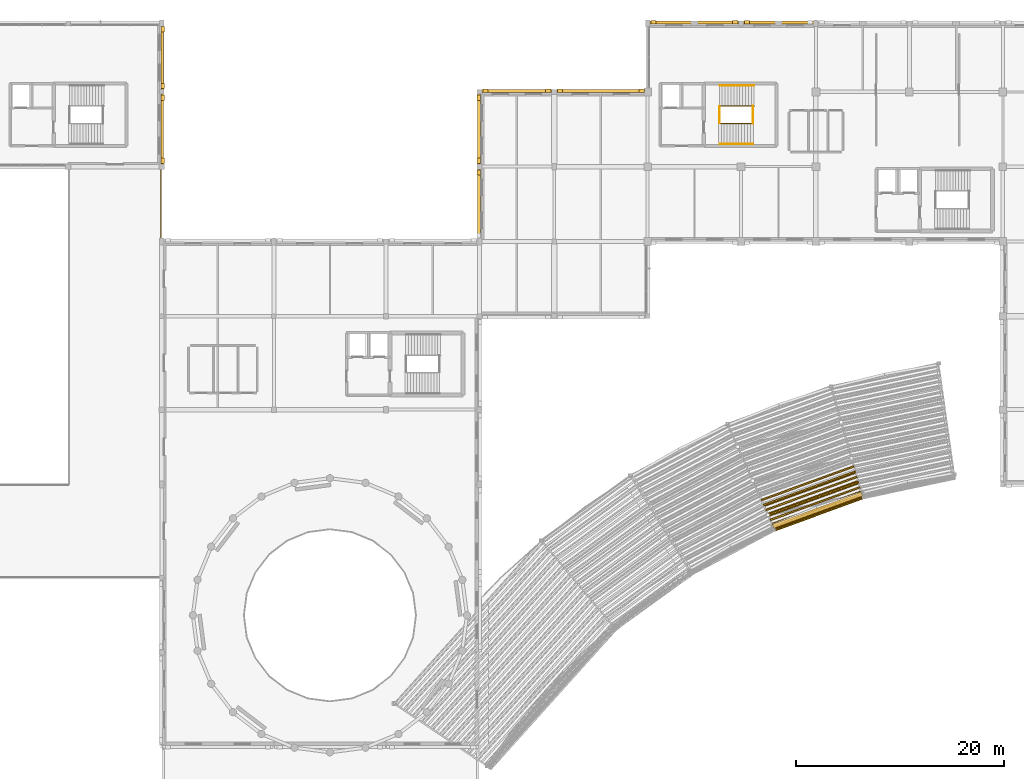
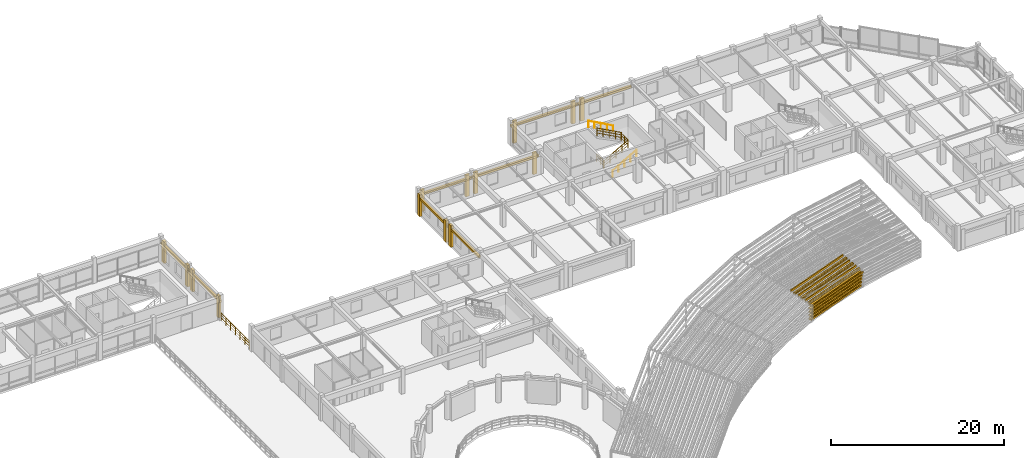
# One storey, part 72 of 74: 25 coverings, 19 shading devices, 7 railings.
"""IFC4 building model written with IfcOpenShell, lengths in metres."""

from ifc_helpers import new_model, si_unit, direction, frame, frame_2d, origin, origin_2d, place, context, subcontext, project, spatial, rectangle, circle, extrude, material, layer, layer_set, type_object, element, save


model = new_model("IFC4")

# Units and contexts
model_context = context("Model", 3, precision=1e-05, world=origin(), true_north=direction((0.0, 1.0)))
body_context = subcontext(model_context, "Body", "Model", "MODEL_VIEW")
ifc_project = project(units=[si_unit("LENGTHUNIT", "METRE"), si_unit("AREAUNIT", "SQUARE_METRE"), si_unit("VOLUMEUNIT", "CUBIC_METRE"), si_unit("PLANEANGLEUNIT", "RADIAN"), si_unit("MASSUNIT", "GRAM", prefix="KILO")], contexts=[model_context])

# Site, building, storey
site_placement = place(None, origin())
site = spatial("IfcSite", under=ifc_project, at=site_placement, CompositionType="ELEMENT")
building_placement = place(site_placement, origin())
building = spatial("IfcBuilding", under=site, at=building_placement, Name="Clarverna Civic Hall", CompositionType="ELEMENT")
storey_placement = place(building_placement, frame((0.0, 0.0, 13.199951171875)))
storey = spatial("IfcBuildingStorey", under=building, at=storey_placement, Name="L03", CompositionType="ELEMENT", Elevation=13.199951171875)

# Coverings
ifc_material_1 = material(Name="Thermally Modified Teak Wood Slat Fascia Cladding", Category="wood")
ifc_layer_1 = layer(ifc_material_1, 0.080078125)
ifc_layer_set_1 = layer_set([ifc_layer_1], Name="Thermally Modified Teak Wood Slat Fascia Cladding")
covering_type_1 = type_object("IfcCoveringType", Name="CV-CL1", PredefinedType="CLADDING", material=ifc_layer_set_1)
covering_1_placement = place(storey_placement, frame((133.987060546875, 70.818603515625, 2.510009765625), z_axis=(0.0, 0.0, 1.0), x_axis=(-0.939684698219, -0.342041909616, 0.0)))
element("IfcCovering", 1, at=covering_1_placement, inside=storey, type_object=covering_type_1, Name="CV-CL1-200", PredefinedType="CLADDING", context=body_context, shape_type="SweptSolid", body=[
    extrude(rectangle(XDim=9.116943359375, YDim=0.340087890625, at=frame_2d((4.55859375, 0.0))), origin(), (0.0, 0.0, 1.0), 0.219970703125),
])
covering_2_placement = place(storey_placement, frame((133.69775390625, 71.827880859375, 2.7451171875), z_axis=(0.0, 0.0, 1.0), x_axis=(-0.93969027177, -0.342026597124, 0.0)))
element("IfcCovering", 2, at=covering_2_placement, inside=storey, type_object=covering_type_1, Name="CV-CL1-205", PredefinedType="CLADDING", context=body_context, shape_type="SweptSolid", body=[
    extrude(rectangle(XDim=9.263671875, YDim=0.340087890625, at=frame_2d((4.6318359375, 0.0))), origin(), (0.0, 0.0, 1.0), 0.219970703125),
])
covering_3_placement = place(storey_placement, frame((133.408203125, 72.837158203125, 2.97998046875), z_axis=(0.0, 0.0, 1.0), x_axis=(-0.93968960152, -0.342028438577, 0.0)))
element("IfcCovering", 3, at=covering_3_placement, inside=storey, type_object=covering_type_1, Name="CV-CL1-210", PredefinedType="CLADDING", context=body_context, shape_type="SweptSolid", body=[
    extrude(rectangle(XDim=9.41015625, YDim=0.340087890625, at=frame_2d((4.705078125, 0.0))), origin(), (0.0, 0.0, 1.0), 0.219970703125),
])
ifc_material_2 = material(Name="Montjuic Buff Limestone Ashlar Cladding", Category="masonry")
ifc_layer_2 = layer(ifc_material_2, 0.070068359375)
ifc_layer_set_2 = layer_set([ifc_layer_2], Name="Montjuic Buff Limestone Ashlar Cladding")
covering_type_2 = type_object("IfcCoveringType", Name="CV-CL2", PredefinedType="CLADDING", material=ifc_layer_set_2)
covering_4_placement = place(storey_placement, frame((97.14501953125, 95.06005859375, 2.320068359375), z_axis=(0.0, 0.0, 1.0), x_axis=(0.0, 1.0, 0.0)))
element("IfcCovering", 4, at=covering_4_placement, inside=storey, type_object=covering_type_2, Name="CV-CL2-530", PredefinedType="CLADDING", context=body_context, shape_type="SweptSolid", body=[
    extrude(rectangle(XDim=7.079833984375, YDim=0.280029296875, at=frame_2d((3.5400390625, 0.0))), origin(), (0.0, 0.0, 1.0), 0.300048828125),
])
covering_5_placement = place(storey_placement, frame((97.114990234375, 101.3798828125, 0.0), z_axis=(0.0, 0.0, 1.0), x_axis=(0.0, 1.0, 0.0)))
element("IfcCovering", 5, at=covering_5_placement, inside=storey, type_object=covering_type_2, Name="CV-CL2-532", PredefinedType="CLADDING", context=body_context, shape_type="SweptSolid", body=[
    extrude(rectangle(XDim=0.5, YDim=0.340087890625, at=frame_2d((0.25, 0.0))), origin(), (0.0, 0.0, 1.0), 3.080078125),
])
covering_6_placement = place(storey_placement, frame((97.14501953125, 102.260009765625, 2.300048828125), z_axis=(0.0, 0.0, 1.0), x_axis=(0.0, 1.0, 0.0)))
element("IfcCovering", 6, at=covering_6_placement, inside=storey, type_object=covering_type_2, Name="CV-CL2-533", PredefinedType="CLADDING", context=body_context, shape_type="SweptSolid", body=[
    extrude(rectangle(XDim=7.080078125, YDim=0.280029296875, at=frame_2d((3.5400390625, 0.0))), origin(), (0.0, 0.0, 1.0), 0.300048828125),
])
for number, where, z_axis, x_axis, name in (
    (7, (97.114990234375, 102.52001953125, 0.0), (0.0, 0.0, 1.0), (0.0, 1.0, 0.0), "CV-CL2-534"),
    (8, (97.114990234375, 108.580078125, 0.0), (0.0, 0.0, 1.0), (0.0, 1.0, 0.0), "CV-CL2-535"),
):
    element("IfcCovering", number, at=place(storey_placement, frame(where, z_axis=z_axis, x_axis=x_axis)), inside=storey, type_object=covering_type_2, Name=name, PredefinedType="CLADDING", context=body_context, shape_type="SweptSolid", body=[
        extrude(rectangle(XDim=0.5, YDim=0.340087890625, at=frame_2d((0.25, 0.0))), origin(), (0.0, 0.0, 1.0), 3.06005859375),
    ])
covering_7_placement = place(storey_placement, frame((97.284912109375, 109.47998046875, 2.27001953125), z_axis=(0.0, 0.0, 1.0), x_axis=(1.0, 0.0, 0.0)))
element("IfcCovering", 9, at=covering_7_placement, inside=storey, type_object=covering_type_2, Name="CV-CL2-536", PredefinedType="CLADDING", context=body_context, shape_type="SweptSolid", body=[
    extrude(rectangle(XDim=7.05517578125, YDim=0.280029296875, at=frame_2d((3.527587890625, 0.0))), origin(), (0.0, 0.0, 1.0), 0.300048828125),
])
for number, where, z_axis, x_axis, name in (
    (10, (97.544921875, 109.510009765625, 0.0), (0.0, 0.0, 1.0), (1.0, 0.0, 0.0), "CV-CL2-537"),
    (11, (103.580078125, 109.510009765625, 0.0), (0.0, 0.0, 1.0), (1.0, 0.0, 0.0), "CV-CL2-538"),
):
    element("IfcCovering", number, at=place(storey_placement, frame(where, z_axis=z_axis, x_axis=x_axis)), inside=storey, type_object=covering_type_2, Name=name, PredefinedType="CLADDING", context=body_context, shape_type="SweptSolid", body=[
        extrude(rectangle(XDim=0.5, YDim=0.340087890625, at=frame_2d((0.25, 0.0))), origin(), (0.0, 0.0, 1.0), 3.030029296875),
    ])
covering_8_placement = place(storey_placement, frame((104.4599609375, 109.47998046875, 2.27001953125), z_axis=(0.0, 0.0, 1.0), x_axis=(1.0, 0.0, 0.0)))
element("IfcCovering", 12, at=covering_8_placement, inside=storey, type_object=covering_type_2, Name="CV-CL2-539", PredefinedType="CLADDING", context=body_context, shape_type="SweptSolid", body=[
    extrude(rectangle(XDim=8.880126953125, YDim=0.280029296875, at=frame_2d((4.43994140625, 0.0))), origin(), (0.0, 0.0, 1.0), 0.300048828125),
])
for number, where, z_axis, x_axis, name in (
    (13, (104.719970703125, 109.510009765625, 0.0), (0.0, 0.0, 1.0), (1.0, 0.0, 0.0), "CV-CL2-540"),
    (14, (112.580078125, 109.510009765625, 0.0), (0.0, 0.0, 1.0), (1.0, 0.0, 0.0), "CV-CL2-541"),
):
    element("IfcCovering", number, at=place(storey_placement, frame(where, z_axis=z_axis, x_axis=x_axis)), inside=storey, type_object=covering_type_2, Name=name, PredefinedType="CLADDING", context=body_context, shape_type="SweptSolid", body=[
        extrude(rectangle(XDim=0.5, YDim=0.340087890625, at=frame_2d((0.25, 0.0))), origin(), (0.0, 0.0, 1.0), 3.030029296875),
    ])
covering_9_placement = place(storey_placement, frame((113.4599609375, 116.080078125, 2.360107421875), z_axis=(0.0, 0.0, 1.0), x_axis=(1.0, 0.0, 0.0)))
element("IfcCovering", 15, at=covering_9_placement, inside=storey, type_object=covering_type_2, Name="CV-CL2-542", PredefinedType="CLADDING", context=body_context, shape_type="SweptSolid", body=[
    extrude(rectangle(XDim=8.880126953125, YDim=0.280029296875, at=frame_2d((4.43994140625, 0.0))), origin(), (0.0, 0.0, 1.0), 0.300048828125),
])
for number, where, z_axis, x_axis, name in (
    (16, (113.719970703125, 116.110107421875, 0.0), (0.0, 0.0, 1.0), (1.0, 0.0, 0.0), "CV-CL2-543"),
    (17, (121.580078125, 116.110107421875, 0.0), (0.0, 0.0, 1.0), (1.0, 0.0, 0.0), "CV-CL2-544"),
):
    element("IfcCovering", number, at=place(storey_placement, frame(where, z_axis=z_axis, x_axis=x_axis)), inside=storey, type_object=covering_type_2, Name=name, PredefinedType="CLADDING", context=body_context, shape_type="SweptSolid", body=[
        extrude(rectangle(XDim=0.5, YDim=0.340087890625, at=frame_2d((0.25, 0.0))), origin(), (0.0, 0.0, 1.0), 3.1201171875),
    ])
covering_10_placement = place(storey_placement, frame((122.4599609375, 116.080078125, 2.360107421875), z_axis=(0.0, 0.0, 1.0), x_axis=(1.0, 0.0, 0.0)))
element("IfcCovering", 18, at=covering_10_placement, inside=storey, type_object=covering_type_2, Name="CV-CL2-545", PredefinedType="CLADDING", context=body_context, shape_type="SweptSolid", body=[
    extrude(rectangle(XDim=7.080078125, YDim=0.280029296875, at=frame_2d((3.5400390625, 0.0))), origin(), (0.0, 0.0, 1.0), 0.300048828125),
])
covering_11_placement = place(storey_placement, frame((122.719970703125, 116.110107421875, 0.0), z_axis=(0.0, 0.0, 1.0), x_axis=(1.0, 0.0, 0.0)))
element("IfcCovering", 19, at=covering_11_placement, inside=storey, type_object=covering_type_2, Name="CV-CL2-546", PredefinedType="CLADDING", context=body_context, shape_type="SweptSolid", body=[
    extrude(rectangle(XDim=0.5, YDim=0.340087890625, at=frame_2d((0.25, 0.0))), origin(), (0.0, 0.0, 1.0), 3.1201171875),
])
covering_12_placement = place(storey_placement, frame((66.655029296875, 115.93994140625, 2.300048828125), z_axis=(0.0, 0.0, 1.0), x_axis=(0.0, -1.0, 0.0)))
element("IfcCovering", 20, at=covering_12_placement, inside=storey, type_object=covering_type_2, Name="CV-CL2-629", PredefinedType="CLADDING", context=body_context, shape_type="SweptSolid", body=[
    extrude(rectangle(XDim=6.47998046875, YDim=0.280029296875, at=frame_2d((3.239990234375, 0.0))), origin(), (0.0, 0.0, 1.0), 0.300048828125),
])
for number, where, z_axis, x_axis, name in (
    (21, (66.68505859375, 115.679931640625, 0.0), (0.0, 0.0, 1.0), (0.0, -1.0, 0.0), "CV-CL2-630"),
    (22, (66.68505859375, 110.219970703125, 0.0), (0.0, 0.0, 1.0), (0.0, -1.0, 0.0), "CV-CL2-631"),
):
    element("IfcCovering", number, at=place(storey_placement, frame(where, z_axis=z_axis, x_axis=x_axis)), inside=storey, type_object=covering_type_2, Name=name, PredefinedType="CLADDING", context=body_context, shape_type="SweptSolid", body=[
        extrude(rectangle(XDim=0.5, YDim=0.340087890625, at=frame_2d((0.25, 0.0))), origin(), (0.0, 0.0, 1.0), 3.06005859375),
    ])
covering_13_placement = place(storey_placement, frame((66.655029296875, 109.340087890625, 2.300048828125), z_axis=(0.0, 0.0, 1.0), x_axis=(0.0, -1.0, 0.0)))
element("IfcCovering", 23, at=covering_13_placement, inside=storey, type_object=covering_type_2, Name="CV-CL2-632", PredefinedType="CLADDING", context=body_context, shape_type="SweptSolid", body=[
    extrude(rectangle(XDim=7.080078125, YDim=0.280029296875, at=frame_2d((3.5400390625, 0.0))), origin(), (0.0, 0.0, 1.0), 0.300048828125),
])
for number, where, z_axis, x_axis, name in (
    (24, (66.68505859375, 109.080078125, 0.0), (0.0, 0.0, 1.0), (0.0, -1.0, 0.0), "CV-CL2-633"),
    (25, (66.68505859375, 103.02001953125, 0.0), (0.0, 0.0, 1.0), (0.0, -1.0, 0.0), "CV-CL2-634"),
):
    element("IfcCovering", number, at=place(storey_placement, frame(where, z_axis=z_axis, x_axis=x_axis)), inside=storey, type_object=covering_type_2, Name=name, PredefinedType="CLADDING", context=body_context, shape_type="SweptSolid", body=[
        extrude(rectangle(XDim=0.5, YDim=0.340087890625, at=frame_2d((0.25, 0.0))), origin(), (0.0, 0.0, 1.0), 3.06005859375),
    ])

# Railings
ifc_material_3 = material(Name="Anodised Bronze Architectural Balustrade")
railing_type_1 = type_object("IfcRailingType", Name="GR-01", PredefinedType="BALUSTRADE", material=ifc_material_3)
railing_1_placement = place(storey_placement, frame((66.514892578125, 101.8798828125, 0.0)))
element("IfcRailing", 26, at=railing_1_placement, inside=storey, type_object=railing_type_1, Name="GR-01-034", PredefinedType="BALUSTRADE", context=body_context, shape_type="SweptSolid", body=[
    extrude(circle(Radius=0.02392578125, at=origin_2d()), frame((0.0, 0.0, 1.09619140625), z_axis=(0.0, -1.0, 0.0), x_axis=(1.0, 0.0, 0.0)), (0.0, 0.0, 1.0), 6.564208984375),
    extrude(circle(Radius=0.011962890625, at=origin_2d()), frame((0.0, 0.0, 0.39208984375), z_axis=(0.0, -1.0, 0.0), x_axis=(1.0, 0.0, 0.0)), (0.0, 0.0, 1.0), 6.564208984375),
    extrude(circle(Radius=0.011962890625, at=origin_2d()), frame((0.0, 0.0, 0.76171875), z_axis=(0.0, -1.0, 0.0), x_axis=(1.0, 0.0, 0.0)), (0.0, 0.0, 1.0), 6.564208984375),
    extrude(circle(Radius=0.02099609375, at=origin_2d()), origin(), (0.0, 0.0, 1.0), 1.072021484375),
    extrude(circle(Radius=0.02099609375, at=origin_2d()), frame((0.0, -1.093994140625, 0.0)), (0.0, 0.0, 1.0), 1.072021484375),
    extrude(circle(Radius=0.02099609375, at=origin_2d()), frame((0.0, -2.18798828125, 0.0)), (0.0, 0.0, 1.0), 1.072021484375),
    extrude(circle(Radius=0.02099609375, at=origin_2d()), frame((0.0, -3.2822265625, 0.0)), (0.0, 0.0, 1.0), 1.072021484375),
    extrude(circle(Radius=0.02099609375, at=origin_2d()), frame((0.0, -4.376220703125, 0.0)), (0.0, 0.0, 1.0), 1.072021484375),
    extrude(circle(Radius=0.02099609375, at=origin_2d()), frame((0.0, -5.47021484375, 0.0)), (0.0, 0.0, 1.0), 1.072021484375),
    extrude(circle(Radius=0.02099609375, at=origin_2d()), frame((0.0, -6.564208984375, 0.0)), (0.0, 0.0, 1.0), 1.072021484375),
])
railing_type_2 = type_object("IfcRailingType", Name="GR-02", PredefinedType="BALUSTRADE", material=ifc_material_3)
railing_2_placement = place(storey_placement, frame((120.35009765625, 106.360107421875, 0.0)))
element("IfcRailing", 27, at=railing_2_placement, inside=storey, type_object=railing_type_2, Name="GR-02-167", PredefinedType="BALUSTRADE", context=body_context, shape_type="SweptSolid", body=[
    extrude(circle(Radius=0.02392578125, at=origin_2d()), frame((0.0, 0.0, 1.09619140625), z_axis=(0.871885778895, 0.0, 0.489709289845), x_axis=(0.0, 1.0, 0.0)), (0.0, 0.0, 1.0), 3.67578125),
    extrude(circle(Radius=0.011962890625, at=origin_2d()), frame((0.0, 0.0, 0.39208984375), z_axis=(0.871885778895, 0.0, 0.489709289845), x_axis=(0.0, 1.0, 0.0)), (0.0, 0.0, 1.0), 3.67578125),
    extrude(circle(Radius=0.011962890625, at=origin_2d()), frame((0.0, 0.0, 0.76171875), z_axis=(0.871885778895, 0.0, 0.489709289845), x_axis=(0.0, 1.0, 0.0)), (0.0, 0.0, 1.0), 3.67578125),
    extrude(circle(Radius=0.02099609375, at=origin_2d()), origin(), (0.0, 0.0, 1.0), 1.072021484375),
    extrude(circle(Radius=0.02099609375, at=origin_2d()), frame((0.80126953125, 0.0, 0.449951171875)), (0.0, 0.0, 1.0), 1.072021484375),
    extrude(circle(Radius=0.02099609375, at=origin_2d()), frame((1.6025390625, 0.0, 0.89990234375)), (0.0, 0.0, 1.0), 1.072021484375),
    extrude(circle(Radius=0.02099609375, at=origin_2d()), frame((2.403564453125, 0.0, 1.35009765625)), (0.0, 0.0, 1.0), 1.072021484375),
    extrude(circle(Radius=0.02099609375, at=origin_2d()), frame((3.204833984375, 0.0, 1.800048828125)), (0.0, 0.0, 1.0), 1.072021484375),
])
railing_3_placement = place(storey_placement, frame((123.554931640625, 106.360107421875, 1.800048828125)))
element("IfcRailing", 28, at=railing_3_placement, inside=storey, type_object=railing_type_2, Name="GR-02-168", PredefinedType="BALUSTRADE", context=body_context, shape_type="SweptSolid", body=[
    extrude(circle(Radius=0.02392578125, at=origin_2d()), frame((0.0, 0.0, 1.09619140625), z_axis=(0.0, 1.0, 0.0), x_axis=(-1.0, 0.0, 0.0)), (0.0, 0.0, 1.0), 1.679931640625),
    extrude(circle(Radius=0.011962890625, at=origin_2d()), frame((0.0, 0.0, 0.39208984375), z_axis=(0.0, 1.0, 0.0), x_axis=(-1.0, 0.0, 0.0)), (0.0, 0.0, 1.0), 1.679931640625),
    extrude(circle(Radius=0.011962890625, at=origin_2d()), frame((0.0, 0.0, 0.76171875), z_axis=(0.0, 1.0, 0.0), x_axis=(-1.0, 0.0, 0.0)), (0.0, 0.0, 1.0), 1.679931640625),
    extrude(circle(Radius=0.02099609375, at=origin_2d()), origin(), (0.0, 0.0, 1.0), 1.072021484375),
    extrude(circle(Radius=0.02099609375, at=origin_2d()), frame((0.0, 0.83984375, 0.0)), (0.0, 0.0, 1.0), 1.072021484375),
    extrude(circle(Radius=0.02099609375, at=origin_2d()), frame((0.0, 1.679931640625, 0.0)), (0.0, 0.0, 1.0), 1.072021484375),
])
railing_4_placement = place(storey_placement, frame((123.64501953125, 108.0400390625, 1.800048828125)))
element("IfcRailing", 29, at=railing_4_placement, inside=storey, type_object=railing_type_2, Name="GR-02-169", PredefinedType="BALUSTRADE", context=body_context, shape_type="SweptSolid", body=[
    extrude(circle(Radius=0.02392578125, at=origin_2d()), frame((0.0, 0.0, 1.09619140625), z_axis=(-0.877579782342, 0.0, 0.479430626498), x_axis=(0.0, -1.0, 0.0)), (0.0, 0.0, 1.0), 3.754638671875),
    extrude(circle(Radius=0.011962890625, at=origin_2d()), frame((0.0, 0.0, 0.39208984375), z_axis=(-0.877579782342, 0.0, 0.479430626498), x_axis=(0.0, -1.0, 0.0)), (0.0, 0.0, 1.0), 3.754638671875),
    extrude(circle(Radius=0.011962890625, at=origin_2d()), frame((0.0, 0.0, 0.76171875), z_axis=(-0.877579782342, 0.0, 0.479430626498), x_axis=(0.0, -1.0, 0.0)), (0.0, 0.0, 1.0), 3.754638671875),
    extrude(circle(Radius=0.02099609375, at=origin_2d()), origin(), (0.0, 0.0, 1.0), 1.072021484375),
    extrude(circle(Radius=0.02099609375, at=origin_2d()), frame((-0.82373046875, 0.0, 0.449951171875)), (0.0, 0.0, 1.0), 1.072021484375),
    extrude(circle(Radius=0.02099609375, at=origin_2d()), frame((-1.6474609375, 0.0, 0.89990234375)), (0.0, 0.0, 1.0), 1.072021484375),
    extrude(circle(Radius=0.02099609375, at=origin_2d()), frame((-2.47119140625, 0.0, 1.35009765625)), (0.0, 0.0, 1.0), 1.072021484375),
    extrude(circle(Radius=0.02099609375, at=origin_2d()), frame((-3.294921875, 0.0, 1.800048828125)), (0.0, 0.0, 1.0), 1.072021484375),
])
railing_5_placement = place(storey_placement, frame((120.31005859375, 106.39990234375, 0.0)))
element("IfcRailing", 30, at=railing_5_placement, inside=storey, type_object=railing_type_2, Name="GR-02-170", PredefinedType="BALUSTRADE", context=body_context, shape_type="SweptSolid", body=[
    extrude(circle(Radius=0.02392578125, at=origin_2d()), frame((0.0, 0.0, 1.09619140625), z_axis=(0.0, 1.0, 0.0), x_axis=(-1.0, 0.0, 0.0)), (0.0, 0.0, 1.0), 1.60009765625),
    extrude(circle(Radius=0.011962890625, at=origin_2d()), frame((0.0, 0.0, 0.39208984375), z_axis=(0.0, 1.0, 0.0), x_axis=(-1.0, 0.0, 0.0)), (0.0, 0.0, 1.0), 1.60009765625),
    extrude(circle(Radius=0.011962890625, at=origin_2d()), frame((0.0, 0.0, 0.76171875), z_axis=(0.0, 1.0, 0.0), x_axis=(-1.0, 0.0, 0.0)), (0.0, 0.0, 1.0), 1.60009765625),
    extrude(circle(Radius=0.02099609375, at=origin_2d()), origin(), (0.0, 0.0, 1.0), 1.072021484375),
    extrude(circle(Radius=0.02099609375, at=origin_2d()), frame((0.0, 0.800048828125, 0.0)), (0.0, 0.0, 1.0), 1.072021484375),
    extrude(circle(Radius=0.02099609375, at=origin_2d()), frame((0.0, 1.60009765625, 0.0)), (0.0, 0.0, 1.0), 1.072021484375),
])
ifc_material_4 = material(Name="Anodised Bronze Continuous Handrail")
railing_type_3 = type_object("IfcRailingType", Name="HR-01", PredefinedType="HANDRAIL", material=ifc_material_4)
railing_6_placement = place(storey_placement, frame((120.35009765625, 104.3798828125, 0.0)))
element("IfcRailing", 31, at=railing_6_placement, inside=storey, type_object=railing_type_3, Name="HR-01-083", PredefinedType="HANDRAIL", context=body_context, shape_type="SweptSolid", body=[
    extrude(circle(Radius=0.02392578125, at=origin_2d()), frame((0.0, 0.0, 0.89599609375), z_axis=(0.87090897868, 0.0, 0.491444351738), x_axis=(0.0, 1.0, 0.0)), (0.0, 0.0, 1.0), 3.662841796875),
    extrude(circle(Radius=0.02099609375, at=origin_2d()), origin(), (0.0, 0.0, 1.0), 0.871826171875),
    extrude(circle(Radius=0.02099609375, at=origin_2d()), frame((0.79736328125, 0.0, 0.449951171875)), (0.0, 0.0, 1.0), 0.871826171875),
    extrude(circle(Radius=0.02099609375, at=origin_2d()), frame((1.594970703125, 0.0, 0.89990234375)), (0.0, 0.0, 1.0), 0.871826171875),
    extrude(circle(Radius=0.02099609375, at=origin_2d()), frame((2.392578125, 0.0, 1.35009765625)), (0.0, 0.0, 1.0), 0.871826171875),
    extrude(circle(Radius=0.02099609375, at=origin_2d()), frame((3.18994140625, 0.0, 1.800048828125)), (0.0, 0.0, 1.0), 0.871826171875),
])
railing_7_placement = place(storey_placement, frame((123.659912109375, 110.02001953125, 1.800048828125)))
element("IfcRailing", 32, at=railing_7_placement, inside=storey, type_object=railing_type_3, Name="HR-01-084", PredefinedType="HANDRAIL", context=body_context, shape_type="SweptSolid", body=[
    extrude(circle(Radius=0.02392578125, at=origin_2d()), frame((0.0, 0.0, 0.89599609375), z_axis=(-0.878486765243, 0.0, 0.477766682904), x_axis=(0.0, -1.0, 0.0)), (0.0, 0.0, 1.0), 3.767578125),
    extrude(circle(Radius=0.02099609375, at=origin_2d()), origin(), (0.0, 0.0, 1.0), 0.871826171875),
    extrude(circle(Radius=0.02099609375, at=origin_2d()), frame((-0.827392578125, 0.0, 0.449951171875)), (0.0, 0.0, 1.0), 0.871826171875),
    extrude(circle(Radius=0.02099609375, at=origin_2d()), frame((-1.65478515625, 0.0, 0.89990234375)), (0.0, 0.0, 1.0), 0.871826171875),
    extrude(circle(Radius=0.02099609375, at=origin_2d()), frame((-2.482421875, 0.0, 1.35009765625)), (0.0, 0.0, 1.0), 0.871826171875),
    extrude(circle(Radius=0.02099609375, at=origin_2d()), frame((-3.309814453125, 0.0, 1.800048828125)), (0.0, 0.0, 1.0), 0.871826171875),
])

# Shading devices
ifc_material_5 = material(Name="Thermally Modified Teak Wood Slats", Category="wood")
ifc_layer_3 = layer(ifc_material_5, 0.06494140625)
ifc_layer_set_3 = layer_set([ifc_layer_3], Name="Thermally Modified Teak Wood Slats")
shading_device_type = type_object("IfcShadingDeviceType", Name="SD-WD1", PredefinedType="JALOUSIE", material=ifc_layer_set_3)
shading_device_1_placement = place(storey_placement, frame((134.0712890625, 70.498291015625, 0.300048828125), z_axis=(0.0, 0.0, 1.0), x_axis=(-0.939691844947, -0.342022274919, 0.0)))
element("IfcShadingDevice", 33, at=shading_device_1_placement, inside=storey, type_object=shading_device_type, Name="SD-WD1-263", PredefinedType="JALOUSIE", context=body_context, shape_type="SweptSolid", body=[
    extrude(rectangle(XDim=9.05615234375, YDim=0.139892578125, at=frame_2d((4.528076171875, 0.0))), origin(), (0.0, 0.0, 1.0), 0.239990234375),
])
shading_device_2_placement = place(storey_placement, frame((134.0283203125, 70.67431640625, 0.260009765625), z_axis=(0.0, 0.0, 1.0), x_axis=(-0.939692291885, -0.342021046971, 0.0)))
element("IfcShadingDevice", 34, at=shading_device_2_placement, inside=storey, type_object=shading_device_type, Name="SD-WD1-264", PredefinedType="JALOUSIE", context=body_context, shape_type="SweptSolid", body=[
    extrude(rectangle(XDim=9.09619140625, YDim=0.419921875, at=frame_2d((4.548095703125, 0.0))), origin(), (0.0, 0.0, 1.0), 0.199951171875),
])
shading_device_3_placement = place(storey_placement, frame((134.091796875, 70.44189453125, 0.800048828125), z_axis=(0.0, 0.0, 1.0), x_axis=(-0.939691844947, -0.342022274919, 0.0)))
element("IfcShadingDevice", 35, at=shading_device_3_placement, inside=storey, type_object=shading_device_type, Name="SD-WD1-265", PredefinedType="JALOUSIE", context=body_context, shape_type="SweptSolid", body=[
    extrude(rectangle(XDim=9.05615234375, YDim=0.139892578125, at=frame_2d((4.528076171875, 0.0))), origin(), (0.0, 0.0, 1.0), 0.239990234375),
])
shading_device_4_placement = place(storey_placement, frame((134.0283203125, 70.67431640625, 0.760009765625), z_axis=(0.0, 0.0, 1.0), x_axis=(-0.939692291885, -0.342021046971, 0.0)))
element("IfcShadingDevice", 36, at=shading_device_4_placement, inside=storey, type_object=shading_device_type, Name="SD-WD1-266", PredefinedType="JALOUSIE", context=body_context, shape_type="SweptSolid", body=[
    extrude(rectangle(XDim=9.09619140625, YDim=0.419921875, at=frame_2d((4.548095703125, 0.0))), origin(), (0.0, 0.0, 1.0), 0.199951171875),
])
shading_device_5_placement = place(storey_placement, frame((134.1123046875, 70.385498046875, 1.300048828125), z_axis=(0.0, 0.0, 1.0), x_axis=(-0.939691844947, -0.342022274919, 0.0)))
element("IfcShadingDevice", 37, at=shading_device_5_placement, inside=storey, type_object=shading_device_type, Name="SD-WD1-267", PredefinedType="JALOUSIE", context=body_context, shape_type="SweptSolid", body=[
    extrude(rectangle(XDim=9.05615234375, YDim=0.139892578125, at=frame_2d((4.528076171875, 0.0))), origin(), (0.0, 0.0, 1.0), 0.239990234375),
])
shading_device_6_placement = place(storey_placement, frame((134.0283203125, 70.67431640625, 1.260009765625), z_axis=(0.0, 0.0, 1.0), x_axis=(-0.939692291885, -0.342021046971, 0.0)))
element("IfcShadingDevice", 38, at=shading_device_6_placement, inside=storey, type_object=shading_device_type, Name="SD-WD1-268", PredefinedType="JALOUSIE", context=body_context, shape_type="SweptSolid", body=[
    extrude(rectangle(XDim=9.09619140625, YDim=0.419921875, at=frame_2d((4.548095703125, 0.0))), origin(), (0.0, 0.0, 1.0), 0.199951171875),
])
shading_device_7_placement = place(storey_placement, frame((134.1328125, 70.3291015625, 1.800048828125), z_axis=(0.0, 0.0, 1.0), x_axis=(-0.939691844947, -0.342022274919, 0.0)))
element("IfcShadingDevice", 39, at=shading_device_7_placement, inside=storey, type_object=shading_device_type, Name="SD-WD1-269", PredefinedType="JALOUSIE", context=body_context, shape_type="SweptSolid", body=[
    extrude(rectangle(XDim=9.05615234375, YDim=0.139892578125, at=frame_2d((4.528076171875, 0.0))), origin(), (0.0, 0.0, 1.0), 0.239990234375),
])
shading_device_8_placement = place(storey_placement, frame((134.0283203125, 70.67431640625, 1.760009765625), z_axis=(0.0, 0.0, 1.0), x_axis=(-0.939692291885, -0.342021046971, 0.0)))
element("IfcShadingDevice", 40, at=shading_device_8_placement, inside=storey, type_object=shading_device_type, Name="SD-WD1-270", PredefinedType="JALOUSIE", context=body_context, shape_type="SweptSolid", body=[
    extrude(rectangle(XDim=9.09619140625, YDim=0.419921875, at=frame_2d((4.548095703125, 0.0))), origin(), (0.0, 0.0, 1.0), 0.199951171875),
])
shading_device_9_placement = place(storey_placement, frame((134.1533203125, 70.272705078125, 2.280029296875), z_axis=(0.0, 0.0, 1.0), x_axis=(-0.939691844947, -0.342022274919, 0.0)))
element("IfcShadingDevice", 41, at=shading_device_9_placement, inside=storey, type_object=shading_device_type, Name="SD-WD1-271", PredefinedType="JALOUSIE", context=body_context, shape_type="SweptSolid", body=[
    extrude(rectangle(XDim=9.05615234375, YDim=0.139892578125, at=frame_2d((4.528076171875, 0.0))), origin(), (0.0, 0.0, 1.0), 0.239990234375),
])
shading_device_10_placement = place(storey_placement, frame((134.0283203125, 70.67431640625, 2.239990234375), z_axis=(0.0, 0.0, 1.0), x_axis=(-0.939692291885, -0.342021046971, 0.0)))
element("IfcShadingDevice", 42, at=shading_device_10_placement, inside=storey, type_object=shading_device_type, Name="SD-WD1-272", PredefinedType="JALOUSIE", context=body_context, shape_type="SweptSolid", body=[
    extrude(rectangle(XDim=9.09619140625, YDim=0.419921875, at=frame_2d((4.548095703125, 0.0))), origin(), (0.0, 0.0, 1.0), 0.199951171875),
])
shading_device_11_placement = place(storey_placement, frame((133.987060546875, 70.818603515625, 2.489990234375), z_axis=(0.0, 0.0, 1.0), x_axis=(-0.939684698219, -0.342041909616, 0.0)))
element("IfcShadingDevice", 43, at=shading_device_11_placement, inside=storey, type_object=shading_device_type, Name="SD-WD1-305", PredefinedType="JALOUSIE", context=body_context, shape_type="SweptSolid", body=[
    extrude(rectangle(XDim=9.116943359375, YDim=0.159912109375, at=frame_2d((4.55859375, 0.0))), origin(), (0.0, 0.0, 1.0), 0.280029296875),
])
shading_device_12_placement = place(storey_placement, frame((133.987060546875, 70.818603515625, 2.530029296875), z_axis=(0.0, 0.0, 1.0), x_axis=(-0.939684698219, -0.342041909616, 0.0)))
element("IfcShadingDevice", 44, at=shading_device_12_placement, inside=storey, type_object=shading_device_type, Name="SD-WD1-306", PredefinedType="JALOUSIE", context=body_context, shape_type="SweptSolid", body=[
    extrude(rectangle(XDim=9.116943359375, YDim=0.3798828125, at=frame_2d((4.55859375, 0.0))), origin(), (0.0, 0.0, 1.0), 0.179931640625),
])
shading_device_13_placement = place(storey_placement, frame((133.84228515625, 71.322998046875, 2.607666015625), z_axis=(0.0, 0.0, 1.0), x_axis=(-0.939690222443, -0.342026732648, 0.0)))
element("IfcShadingDevice", 45, at=shading_device_13_placement, inside=storey, type_object=shading_device_type, Name="SD-WD1-314", PredefinedType="JALOUSIE", context=body_context, shape_type="SweptSolid", body=[
    extrude(rectangle(XDim=9.190185546875, YDim=0.159912109375, at=frame_2d((4.59521484375, 0.0))), origin(), (0.0, 0.0, 1.0), 0.27978515625),
])
shading_device_14_placement = place(storey_placement, frame((133.69775390625, 71.827880859375, 2.72509765625), z_axis=(0.0, 0.0, 1.0), x_axis=(-0.93969027177, -0.342026597124, 0.0)))
element("IfcShadingDevice", 46, at=shading_device_14_placement, inside=storey, type_object=shading_device_type, Name="SD-WD1-320", PredefinedType="JALOUSIE", context=body_context, shape_type="SweptSolid", body=[
    extrude(rectangle(XDim=9.263671875, YDim=0.159912109375, at=frame_2d((4.6318359375, 0.0))), origin(), (0.0, 0.0, 1.0), 0.280029296875),
])
shading_device_15_placement = place(storey_placement, frame((133.69775390625, 71.827880859375, 2.76513671875), z_axis=(0.0, 0.0, 1.0), x_axis=(-0.93969027177, -0.342026597124, 0.0)))
element("IfcShadingDevice", 47, at=shading_device_15_placement, inside=storey, type_object=shading_device_type, Name="SD-WD1-321", PredefinedType="JALOUSIE", context=body_context, shape_type="SweptSolid", body=[
    extrude(rectangle(XDim=9.263671875, YDim=0.3798828125, at=frame_2d((4.6318359375, 0.0))), origin(), (0.0, 0.0, 1.0), 0.179931640625),
])
shading_device_16_placement = place(storey_placement, frame((133.552978515625, 72.33251953125, 2.842529296875), z_axis=(0.0, 0.0, 1.0), x_axis=(-0.939684202452, -0.342043271622, 0.0)))
element("IfcShadingDevice", 48, at=shading_device_16_placement, inside=storey, type_object=shading_device_type, Name="SD-WD1-329", PredefinedType="JALOUSIE", context=body_context, shape_type="SweptSolid", body=[
    extrude(rectangle(XDim=9.3369140625, YDim=0.159912109375, at=frame_2d((4.66845703125, 0.0))), origin(), (0.0, 0.0, 1.0), 0.280029296875),
])
shading_device_17_placement = place(storey_placement, frame((133.408203125, 72.837158203125, 2.9599609375), z_axis=(0.0, 0.0, 1.0), x_axis=(-0.93968960152, -0.342028438577, 0.0)))
element("IfcShadingDevice", 49, at=shading_device_17_placement, inside=storey, type_object=shading_device_type, Name="SD-WD1-335", PredefinedType="JALOUSIE", context=body_context, shape_type="SweptSolid", body=[
    extrude(rectangle(XDim=9.41015625, YDim=0.159912109375, at=frame_2d((4.705078125, 0.0))), origin(), (0.0, 0.0, 1.0), 0.280029296875),
])
shading_device_18_placement = place(storey_placement, frame((133.408203125, 72.837158203125, 3.0), z_axis=(0.0, 0.0, 1.0), x_axis=(-0.93968960152, -0.342028438577, 0.0)))
element("IfcShadingDevice", 50, at=shading_device_18_placement, inside=storey, type_object=shading_device_type, Name="SD-WD1-336", PredefinedType="JALOUSIE", context=body_context, shape_type="SweptSolid", body=[
    extrude(rectangle(XDim=9.41015625, YDim=0.3798828125, at=frame_2d((4.705078125, 0.0))), origin(), (0.0, 0.0, 1.0), 0.179931640625),
])
shading_device_19_placement = place(storey_placement, frame((133.263671875, 73.341796875, 3.07763671875), z_axis=(0.0, 0.0, 1.0), x_axis=(-0.939697928293, -0.342005560719, 0.0)))
element("IfcShadingDevice", 51, at=shading_device_19_placement, inside=storey, type_object=shading_device_type, Name="SD-WD1-344", PredefinedType="JALOUSIE", context=body_context, shape_type="SweptSolid", body=[
    extrude(rectangle(XDim=9.4833984375, YDim=0.159912109375, at=frame_2d((4.74169921875, 0.0))), origin(), (0.0, 0.0, 1.0), 0.280029296875),
])

save(model, "model.ifc")
